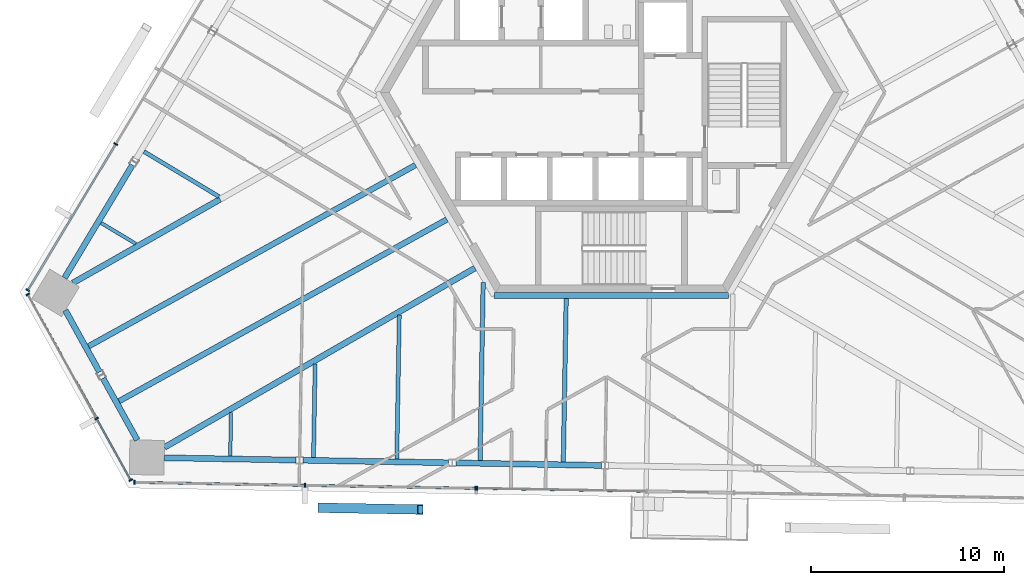
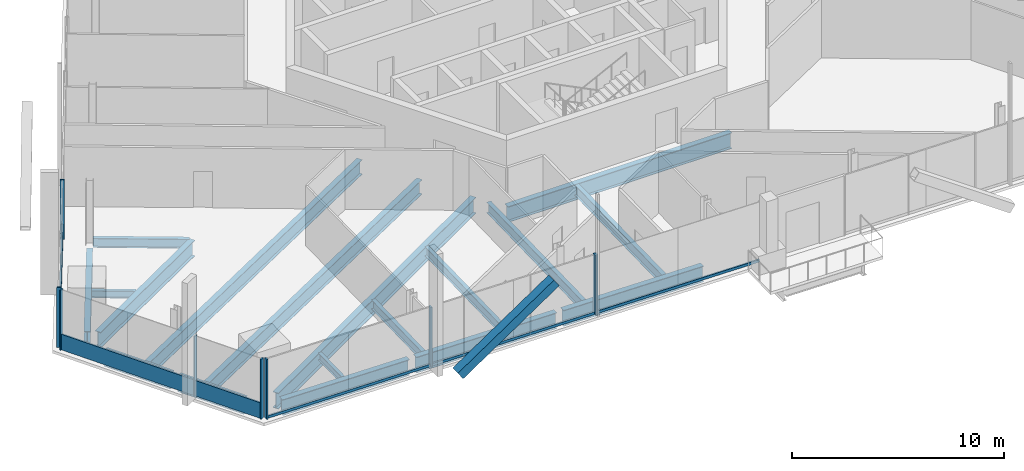
# One storey, part 4 of 21: 18 beams, 16 members, 4 elements without a shape of their own.
"""IFC4 building model written with IfcOpenShell, lengths in metres."""

from ifc_helpers import new_model, si_unit, direction, frame, origin, origin_2d, place, context, subcontext, project, spatial, rectangle, hollow_rectangle, i_section, extrude, source, transform, mapped, material, material_profile, profile_set, type_object, element, aggregate, save


model = new_model("IFC4")

# Units and contexts
model_context = context("Model", 3, precision=1e-05, world=origin(), true_north=direction((0.0, 1.0)))
body_context = subcontext(model_context, "Body", "Model", "MODEL_VIEW")
ifc_project = project(units=[si_unit("LENGTHUNIT", "METRE"), si_unit("AREAUNIT", "SQUARE_METRE"), si_unit("VOLUMEUNIT", "CUBIC_METRE"), si_unit("PLANEANGLEUNIT", "RADIAN"), si_unit("MASSUNIT", "GRAM", prefix="KILO")], contexts=[model_context])

# Site, building, storey
site_placement = place(None, origin())
site = spatial("IfcSite", under=ifc_project, at=site_placement, CompositionType="ELEMENT")
building_placement = place(site_placement, origin())
building = spatial("IfcBuilding", under=site, at=building_placement, Name="Triune Harvest Tower", CompositionType="ELEMENT")
storey_placement = place(building_placement, frame((0.0, 0.0, 187.10009765625)))
storey = spatial("IfcBuildingStorey", under=building, at=storey_placement, Name="L48", CompositionType="ELEMENT", Elevation=187.10009765625)

# Curtain wall, member
ifc_material_1 = material(Name="Aluminium bronze anodised", Category="aluminium")
curtain_wall_type_1 = type_object("IfcCurtainWallType", Name="CW-10 Balcony window wall with insulated spandrel infill", PredefinedType="NOTDEFINED", material=ifc_material_1)
curtain_wall_1_placement = place(storey_placement, origin())
curtain_wall_1 = element("IfcCurtainWall", 1, at=curtain_wall_1_placement, inside=storey, type_object=curtain_wall_type_1, Name="CW-10 B5-F5 L48 run 1")
ifc_material_2 = material(Name="Aluminium bronze anodised", Category="aluminium")
ifc_material_profile_1 = material_profile(ifc_material_2, rectangle(XDim=0.090087890625, YDim=0.14990234375, at=origin_2d()), Name="TR-6 transom 90 x 150")
ifc_profile_set_1 = profile_set([ifc_material_profile_1], Name="Aluminium bronze anodised")
member_type_1 = type_object("IfcMemberType", Name="TR-6 transom 90 x 150", PredefinedType="USERDEFINED", material=ifc_profile_set_1)
member_1_placement = place(storey_placement, frame((-24.7255859375, -20.248779296875, 0.074951171875), z_axis=(0.999847959279, -0.017437268315, 0.0), x_axis=(0.017437268315, 0.999847959279, 0.0)))
member_1 = element("IfcMember", 2, at=member_1_placement, type_object=member_type_1, Name="CW-10 transom B5-F5 1.1", ObjectType="TRANSOM", PredefinedType="USERDEFINED", context=body_context, shape_type="SweptSolid", body=[
    extrude(rectangle(XDim=0.090087890625, YDim=0.14990234375, at=origin_2d()), origin(), (0.0, 0.0, 1.0), 8.778564453125),
])

ifc_material_3 = material(Name="Aluminium bronze anodised", Category="aluminium")
curtain_wall_type_2 = type_object("IfcCurtainWallType", Name="CW-6 Balcony window wall", PredefinedType="NOTDEFINED", material=ifc_material_3)
curtain_wall_2_placement = place(storey_placement, origin())
curtain_wall_2 = element("IfcCurtainWall", 3, at=curtain_wall_2_placement, inside=storey, type_object=curtain_wall_type_2, Name="CW-6 B5-F5 L48 run 1001")
member_2_placement = place(storey_placement, frame((-6.94580078125, -20.55908203125, 0.074951171875), z_axis=(0.999847633679, -0.017455928128, 0.0), x_axis=(0.017455928128, 0.999847633679, 0.0)))
member_2 = element("IfcMember", 4, at=member_2_placement, type_object=member_type_1, Name="CW-6 transom B5-F5 1001.1", ObjectType="TRANSOM", PredefinedType="USERDEFINED", context=body_context, shape_type="SweptSolid", body=[
    extrude(rectangle(XDim=0.090087890625, YDim=0.14990234375, at=origin_2d()), origin(), (0.0, 0.0, 1.0), 8.7412109375),
])

# Beams
ifc_material_4 = material(Name="Steel ASTM A992 Gr 50", Category="steel")
ifc_material_profile_2 = material_profile(ifc_material_4, i_section(OverallWidth=0.3046875, OverallDepth=0.914306640625, WebThickness=0.0166015625, FlangeThickness=0.02587890625, at=origin_2d()), Name="W36x160")
ifc_profile_set_2 = profile_set([ifc_material_profile_2], Name="Steel ASTM A992 Gr 50")
beam_type_1 = type_object("IfcBeamType", Name="CG-1 Core ring girder W36x160", PredefinedType="BEAM", material=ifc_profile_set_2)
shared_shape_1 = source(origin(), body_context, "Body", "SweptSolid", [
    extrude(i_section(OverallWidth=0.3046875, OverallDepth=0.914306640625, WebThickness=0.0166015625, FlangeThickness=0.02587890625, at=origin_2d()), origin(), (0.0, 0.0, 1.0), 12.17578125),
])
beam_1_placement = place(storey_placement, frame((-6.087890625, -10.544677734375, -0.6171875), z_axis=(1.0, 0.0, 0.0), x_axis=(0.0, 1.0, 0.0)))
element("IfcBeam", 5, at=beam_1_placement, inside=storey, type_object=beam_type_1, Name="beam/L48/CG5", PredefinedType="BEAM", context=body_context, shape_type="MappedRepresentation", body=[
    mapped(shared_shape_1, transform((0.0, 0.0, 0.0), scale=1.0)),
])
ifc_material_5 = material(Name="Steel ASTM A992 Gr 50", Category="steel")
ifc_material_profile_3 = material_profile(ifc_material_5, i_section(OverallWidth=0.3046875, OverallDepth=0.914306640625, WebThickness=0.0166015625, FlangeThickness=0.02587890625, at=origin_2d()), Name="W36x160")
ifc_profile_set_3 = profile_set([ifc_material_profile_3], Name="Steel ASTM A992 Gr 50")
beam_type_2 = type_object("IfcBeamType", Name="SB-1 Spandrel beam W36x160", PredefinedType="SPANDREL", material=ifc_profile_set_3)
shared_shape_2 = source(origin(), body_context, "Body", "SweptSolid", [
    extrude(i_section(OverallWidth=0.3046875, OverallDepth=0.914306640625, WebThickness=0.0166015625, FlangeThickness=0.02587890625, at=origin_2d()), origin(), (0.0, 0.0, 1.0), 6.841796875),
])
for number, where, z_axis, x_axis, name in (
    (6, (-24.86865234375, -3.77001953125, -0.6171875), (-0.515057137128, -0.857155846678, 0.0), (0.857155846678, -0.515057137128, 0.0), "beam/L48/SB14"),
    (7, (-23.21630859375, -18.97265625, -0.6171875), (0.999847751763, -0.01744916312, 0.0), (0.01744916312, 0.999847751763, 0.0), "beam/L48/SB17"),
):
    element("IfcBeam", number, at=place(storey_placement, frame(where, z_axis=z_axis, x_axis=x_axis)), inside=storey, type_object=beam_type_2, Name=name, PredefinedType="SPANDREL", context=body_context, shape_type="MappedRepresentation", body=[
        mapped(shared_shape_2, transform((0.0, 0.0, 0.0), scale=1.0)),
    ])
shared_shape_3 = source(origin(), body_context, "Body", "SweptSolid", [
    extrude(i_section(OverallWidth=0.3046875, OverallDepth=0.914306640625, WebThickness=0.0166015625, FlangeThickness=0.02587890625, at=origin_2d()), origin(), (0.0, 0.0, 1.0), 7.556396484375),
])
for number, where, z_axis, x_axis, name in (
    (8, (-16.0048828125, -19.098388671875, -0.6171875), (0.99984722371, -0.017479394688, 0.0), (0.017479394688, 0.99984722371, 0.0), "beam/L48/SB18"),
    (9, (-8.078857421875, -19.23681640625, -0.6171875), (0.99984722371, -0.017479394688, 0.0), (0.017479394688, 0.99984722371, 0.0), "beam/L48/SB19"),
):
    element("IfcBeam", number, at=place(storey_placement, frame(where, z_axis=z_axis, x_axis=x_axis)), inside=storey, type_object=beam_type_2, Name=name, PredefinedType="SPANDREL", context=body_context, shape_type="MappedRepresentation", body=[
        mapped(shared_shape_3, transform((0.0, 0.0, 0.0), scale=1.0)),
    ])
shared_shape_4 = source(origin(), body_context, "Body", "SweptSolid", [
    extrude(i_section(OverallWidth=0.3046875, OverallDepth=0.914306640625, WebThickness=0.0166015625, FlangeThickness=0.02587890625, at=origin_2d()), origin(), (0.0, 0.0, 1.0), 3.66357421875),
])
beam_2_placement = place(storey_placement, frame((-26.396240234375, -14.84375, -0.6171875), z_axis=(0.484794006312, -0.874628361903, 0.0), x_axis=(0.874628361903, 0.484794006312, 0.0)))
element("IfcBeam", 10, at=beam_2_placement, inside=storey, type_object=beam_type_2, Name="beam/L48/SB16", PredefinedType="SPANDREL", context=body_context, shape_type="MappedRepresentation", body=[
    mapped(shared_shape_4, transform((0.0, 0.0, 0.0), scale=1.0)),
])
shared_shape_5 = source(origin(), body_context, "Body", "SweptSolid", [
    extrude(i_section(OverallWidth=0.3046875, OverallDepth=0.914306640625, WebThickness=0.0166015625, FlangeThickness=0.02587890625, at=origin_2d()), origin(), (0.0, 0.0, 1.0), 3.663818359375),
])
beam_3_placement = place(storey_placement, frame((-28.352294921875, -11.31494140625, -0.6171875), z_axis=(0.484844980499, -0.874600105697, 0.0), x_axis=(0.874600105697, 0.484844980499, 0.0)))
element("IfcBeam", 11, at=beam_3_placement, inside=storey, type_object=beam_type_2, Name="beam/L48/SB15", PredefinedType="SPANDREL", context=body_context, shape_type="MappedRepresentation", body=[
    mapped(shared_shape_5, transform((0.0, 0.0, 0.0), scale=1.0)),
])
ifc_material_6 = material(Name="Steel ASTM A992 Gr 50", Category="steel")
ifc_material_profile_4 = material_profile(ifc_material_6, i_section(OverallWidth=0.307373046875, OverallDepth=0.922119140625, WebThickness=0.018310546875, FlangeThickness=0.030029296875, at=origin_2d()), Name="W36x182")
ifc_profile_set_4 = profile_set([ifc_material_profile_4], Name="Steel ASTM A992 Gr 50")
beam_type_3 = type_object("IfcBeamType", Name="HG-2 Hip girder W36x182", PredefinedType="BEAM", material=ifc_profile_set_4)
shared_shape_6 = source(origin(), body_context, "Body", "SweptSolid", [
    extrude(i_section(OverallWidth=0.307373046875, OverallDepth=0.922119140625, WebThickness=0.018310546875, FlangeThickness=0.030029296875, at=origin_2d()), origin(), (0.0, 0.0, 1.0), 8.79150390625),
])
beam_4_placement = place(storey_placement, frame((-27.958251953125, -9.8955078125, -0.62109375), z_axis=(0.869275144509, 0.494328557883, 0.0), x_axis=(-0.494328557883, 0.869275144509, 0.0)))
element("IfcBeam", 12, at=beam_4_placement, inside=storey, type_object=beam_type_3, Name="beam/L48/HG5", PredefinedType="BEAM", context=body_context, shape_type="MappedRepresentation", body=[
    mapped(shared_shape_6, transform((0.0, 0.0, 0.0), scale=1.0)),
])
shared_shape_7 = source(origin(), body_context, "Body", "SweptSolid", [
    extrude(i_section(OverallWidth=0.307373046875, OverallDepth=0.922119140625, WebThickness=0.018310546875, FlangeThickness=0.030029296875, at=origin_2d()), origin(), (0.0, 0.0, 1.0), 18.616455078125),
])
beam_5_placement = place(storey_placement, frame((-23.206787109375, -18.431884765625, -0.62109375), z_axis=(0.866022449336, 0.50000511722, 0.0), x_axis=(-0.50000511722, 0.866022449336, 0.0)))
element("IfcBeam", 13, at=beam_5_placement, inside=storey, type_object=beam_type_3, Name="beam/L48/HG7", PredefinedType="BEAM", context=body_context, shape_type="MappedRepresentation", body=[
    mapped(shared_shape_7, transform((0.0, 0.0, 0.0), scale=1.0)),
])
ifc_material_7 = material(Name="Steel ASTM A992 Gr 50", Category="steel")
ifc_material_profile_5 = material_profile(ifc_material_7, i_section(OverallWidth=0.22900390625, OverallDepth=0.612060546875, WebThickness=0.011962890625, FlangeThickness=0.01953125, at=origin_2d()), Name="W24x84")
ifc_profile_set_5 = profile_set([ifc_material_profile_5], Name="Steel ASTM A992 Gr 50")
beam_type_4 = type_object("IfcBeamType", Name="JT-3 Floor joist W24x84", PredefinedType="JOIST", material=ifc_profile_set_5)
shared_shape_8 = source(origin(), body_context, "Body", "SweptSolid", [
    extrude(i_section(OverallWidth=0.22900390625, OverallDepth=0.612060546875, WebThickness=0.011962890625, FlangeThickness=0.01953125, at=origin_2d()), origin(), (0.0, 0.0, 1.0), 9.247314453125),
])
beam_6_placement = place(storey_placement, frame((-6.8203125, -19.1064453125, -0.46630859375), z_axis=(0.017451330541, 0.999847713936, 0.0), x_axis=(-0.999847713936, 0.017451330541, 0.0)))
element("IfcBeam", 14, at=beam_6_placement, inside=storey, type_object=beam_type_4, Name="beam/L48/JT28", PredefinedType="JOIST", context=body_context, shape_type="MappedRepresentation", body=[
    mapped(shared_shape_8, transform((0.0, 0.0, 0.0), scale=1.0)),
])
shared_shape_9 = source(origin(), body_context, "Body", "SweptSolid", [
    extrude(i_section(OverallWidth=0.22900390625, OverallDepth=0.612060546875, WebThickness=0.011962890625, FlangeThickness=0.01953125, at=origin_2d()), origin(), (0.0, 0.0, 1.0), 8.486083984375),
])
beam_7_placement = place(storey_placement, frame((-2.4970703125, -19.181884765625, -0.46630859375), z_axis=(0.017434191628, 0.999848012931, 0.0), x_axis=(-0.999848012931, 0.017434191628, 0.0)))
element("IfcBeam", 15, at=beam_7_placement, inside=storey, type_object=beam_type_4, Name="beam/L48/JT29", PredefinedType="JOIST", context=body_context, shape_type="MappedRepresentation", body=[
    mapped(shared_shape_9, transform((0.0, 0.0, 0.0), scale=1.0)),
])
ifc_material_8 = material(Name="Steel ASTM A992 Gr 50", Category="steel")
ifc_material_profile_6 = material_profile(ifc_material_8, i_section(OverallWidth=0.2099609375, OverallDepth=0.535888671875, WebThickness=0.010986328125, FlangeThickness=0.017333984375, at=origin_2d()), Name="W21x68")
ifc_profile_set_6 = profile_set([ifc_material_profile_6], Name="Steel ASTM A992 Gr 50")
beam_type_5 = type_object("IfcBeamType", Name="JT-2 Floor joist W21x68", PredefinedType="JOIST", material=ifc_profile_set_6)
shared_shape_10 = source(origin(), body_context, "Body", "SweptSolid", [
    extrude(i_section(OverallWidth=0.2099609375, OverallDepth=0.535888671875, WebThickness=0.010986328125, FlangeThickness=0.017333984375, at=origin_2d()), origin(), (0.0, 0.0, 1.0), 4.538818359375),
])
beam_8_placement = place(storey_placement, frame((-24.271484375, -3.072021484375, -0.427978515625), z_axis=(0.85717477652, -0.515025632855, 0.0), x_axis=(0.515025632855, 0.85717477652, 0.0)))
element("IfcBeam", 16, at=beam_8_placement, inside=storey, type_object=beam_type_5, Name="beam/L48/JT21", PredefinedType="JOIST", context=body_context, shape_type="MappedRepresentation", body=[
    mapped(shared_shape_10, transform((0.0, 0.0, 0.0), scale=1.0)),
])
ifc_material_9 = material(Name="Steel ASTM A992 Gr 50", Category="steel")
ifc_material_profile_7 = material_profile(ifc_material_9, i_section(OverallWidth=0.2919921875, OverallDepth=0.8408203125, WebThickness=0.0146484375, FlangeThickness=0.021728515625, at=origin_2d()), Name="W33x130")
ifc_profile_set_7 = profile_set([ifc_material_profile_7], Name="Steel ASTM A992 Gr 50")
beam_type_6 = type_object("IfcBeamType", Name="JT-6 Floor joist W33x130", PredefinedType="JOIST", material=ifc_profile_set_7)
shared_shape_11 = source(origin(), body_context, "Body", "SweptSolid", [
    extrude(i_section(OverallWidth=0.2919921875, OverallDepth=0.8408203125, WebThickness=0.0146484375, FlangeThickness=0.021728515625, at=origin_2d()), origin(), (0.0, 0.0, 1.0), 19.403564453125),
])
beam_9_placement = place(storey_placement, frame((-27.142822265625, -13.1826171875, -0.58056640625), z_axis=(0.874615069694, 0.484817986325, 0.0), x_axis=(-0.484817986325, 0.874615069694, 0.0)))
element("IfcBeam", 17, at=beam_9_placement, inside=storey, type_object=beam_type_6, Name="beam/L48/JT23", PredefinedType="JOIST", context=body_context, shape_type="MappedRepresentation", body=[
    mapped(shared_shape_11, transform((0.0, 0.0, 0.0), scale=1.0)),
])
shared_shape_12 = source(origin(), body_context, "Body", "SweptSolid", [
    extrude(i_section(OverallWidth=0.2919921875, OverallDepth=0.8408203125, WebThickness=0.0146484375, FlangeThickness=0.021728515625, at=origin_2d()), origin(), (0.0, 0.0, 1.0), 19.460205078125),
])
beam_10_placement = place(storey_placement, frame((-25.562744140625, -16.03271484375, -0.58056640625), z_axis=(0.874617874633, 0.484812926161, 0.0), x_axis=(-0.484812926161, 0.874617874633, 0.0)))
element("IfcBeam", 18, at=beam_10_placement, inside=storey, type_object=beam_type_6, Name="beam/L48/JT24", PredefinedType="JOIST", context=body_context, shape_type="MappedRepresentation", body=[
    mapped(shared_shape_12, transform((0.0, 0.0, 0.0), scale=1.0)),
])
shared_shape_13 = source(origin(), body_context, "Body", "SweptSolid", [
    extrude(i_section(OverallWidth=0.2099609375, OverallDepth=0.535888671875, WebThickness=0.010986328125, FlangeThickness=0.017333984375, at=origin_2d()), origin(), (0.0, 0.0, 1.0), 4.864501953125),
])
beam_11_placement = place(storey_placement, frame((-15.467041015625, -18.95556640625, -0.427978515625), z_axis=(0.017465461228, 0.999847467199, 0.0), x_axis=(-0.999847467199, 0.017465461228, 0.0)))
element("IfcBeam", 19, at=beam_11_placement, inside=storey, type_object=beam_type_5, Name="beam/L48/JT26", PredefinedType="JOIST", context=body_context, shape_type="MappedRepresentation", body=[
    mapped(shared_shape_13, transform((0.0, 0.0, 0.0), scale=1.0)),
])
ifc_material_10 = material(Name="Steel ASTM A992 Gr 50", Category="steel")
ifc_material_profile_8 = material_profile(ifc_material_10, i_section(OverallWidth=0.180908203125, OverallDepth=0.41650390625, WebThickness=0.010986328125, FlangeThickness=0.01806640625, at=origin_2d()), Name="W16x57")
ifc_profile_set_8 = profile_set([ifc_material_profile_8], Name="Steel ASTM A992 Gr 50")
beam_type_7 = type_object("IfcBeamType", Name="JT-1 Floor joist W16x57", PredefinedType="JOIST", material=ifc_profile_set_8)
shared_shape_14 = source(origin(), body_context, "Body", "SweptSolid", [
    extrude(i_section(OverallWidth=0.180908203125, OverallDepth=0.41650390625, WebThickness=0.010986328125, FlangeThickness=0.01806640625, at=origin_2d()), origin(), (0.0, 0.0, 1.0), 2.104736328125),
])
beam_12_placement = place(storey_placement, frame((-26.498291015625, -6.7783203125, -0.368408203125), z_axis=(0.857185733632, -0.51500739612, 0.0), x_axis=(0.51500739612, 0.857185733632, 0.0)))
element("IfcBeam", 20, at=beam_12_placement, inside=storey, type_object=beam_type_7, Name="beam/L48/JT22", PredefinedType="JOIST", context=body_context, shape_type="MappedRepresentation", body=[
    mapped(shared_shape_14, transform((0.0, 0.0, 0.0), scale=1.0)),
])
shared_shape_15 = source(origin(), body_context, "Body", "SweptSolid", [
    extrude(i_section(OverallWidth=0.180908203125, OverallDepth=0.41650390625, WebThickness=0.010986328125, FlangeThickness=0.01806640625, at=origin_2d()), origin(), (0.0, 0.0, 1.0), 2.26611328125),
])
beam_13_placement = place(storey_placement, frame((-19.790283203125, -18.8798828125, -0.368408203125), z_axis=(0.017452357155, 0.999847696017, 0.0), x_axis=(-0.999847696017, 0.017452357155, 0.0)))
element("IfcBeam", 21, at=beam_13_placement, inside=storey, type_object=beam_type_7, Name="beam/L48/JT25", PredefinedType="JOIST", context=body_context, shape_type="MappedRepresentation", body=[
    mapped(shared_shape_15, transform((0.0, 0.0, 0.0), scale=1.0)),
])
shared_shape_16 = source(origin(), body_context, "Body", "SweptSolid", [
    extrude(i_section(OverallWidth=0.2099609375, OverallDepth=0.535888671875, WebThickness=0.010986328125, FlangeThickness=0.017333984375, at=origin_2d()), origin(), (0.0, 0.0, 1.0), 7.462890625),
])
beam_14_placement = place(storey_placement, frame((-11.143798828125, -19.031005859375, -0.427978515625), z_axis=(0.017469440512, 0.99984739768, 0.0), x_axis=(-0.99984739768, 0.017469440512, 0.0)))
element("IfcBeam", 22, at=beam_14_placement, inside=storey, type_object=beam_type_5, Name="beam/L48/JT27", PredefinedType="JOIST", context=body_context, shape_type="MappedRepresentation", body=[
    mapped(shared_shape_16, transform((0.0, 0.0, 0.0), scale=1.0)),
])

# Member
ifc_material_11 = material(Name="Steel ASTM A572 Gr 50", Category="steel")
ifc_material_profile_9 = material_profile(ifc_material_11, hollow_rectangle(XDim=0.5, YDim=0.5, WallThickness=0.030029296875, at=origin_2d()), Name="Box 500x500x30")
ifc_profile_set_9 = profile_set([ifc_material_profile_9], Name="Steel ASTM A572 Gr 50")
member_type_2 = type_object("IfcMemberType", Name="BR-3 Brace Box 500x500x30", PredefinedType="BRACE", material=ifc_profile_set_9)
shared_shape_17 = source(origin(), body_context, "Body", "SweptSolid", [
    extrude(hollow_rectangle(XDim=0.5, YDim=0.5, WallThickness=0.030029296875, at=origin_2d()), origin(), (0.0, 0.0, 1.0), 6.302978515625),
])
member_3_placement = place(storey_placement, frame((-15.09228515625, -21.56689453125, 0.0), z_axis=(0.820733251082, -0.014331554245, 0.571131803634), x_axis=(0.017459228993, 0.999847576045, 0.0)))
element("IfcMember", 23, at=member_3_placement, inside=storey, type_object=member_type_2, Name="brace/B5-F5/d1/3", PredefinedType="BRACE", context=body_context, shape_type="MappedRepresentation", body=[
    mapped(shared_shape_17, transform((0.0, 0.0, 0.0), scale=1.0)),
])

# Curtain wall, members
ifc_material_12 = material(Name="Aluminium bronze anodised", Category="aluminium")
curtain_wall_type_3 = type_object("IfcCurtainWallType", Name="CW-7 Tower stick curtain wall with insulated spandrel infill", PredefinedType="NOTDEFINED", material=ifc_material_12)
curtain_wall_3_placement = place(storey_placement, origin())
curtain_wall_3 = element("IfcCurtainWall", 24, at=curtain_wall_3_placement, inside=storey, type_object=curtain_wall_type_3, Name="CW-7 B5-F3 L48 run 2001")
ifc_material_13 = material(Name="Aluminium bronze anodised", Category="aluminium")
ifc_material_profile_10 = material_profile(ifc_material_13, rectangle(XDim=0.199951171875, YDim=0.074951171875, at=origin_2d()), Name="MU-1 mullion 75 x 200")
ifc_profile_set_10 = profile_set([ifc_material_profile_10], Name="Aluminium bronze anodised")
member_type_3 = type_object("IfcMemberType", Name="MU-1 mullion 75 x 200", PredefinedType="MULLION", material=ifc_profile_set_10)
shared_shape_18 = source(origin(), body_context, "Body", "SweptSolid", [
    extrude(rectangle(XDim=0.199951171875, YDim=0.074951171875, at=origin_2d()), origin(), (0.0, 0.0, 1.0), 3.43994140625),
])
member_4_placement = place(storey_placement, frame((-25.735107421875, -2.683837890625, 0.0), z_axis=(0.0, 0.0, 1.0), x_axis=(0.857166809078, -0.515038893109, 0.0)))
member_4 = element("IfcMember", 25, at=member_4_placement, type_object=member_type_3, Name="CW-7 mullion B5-F3 2001.3", PredefinedType="MULLION", context=body_context, shape_type="MappedRepresentation", body=[
    mapped(shared_shape_18, transform((0.0, 0.0, 0.0), scale=1.0)),
])
member_5_placement = place(storey_placement, frame((-30.293701171875, -10.2705078125, 0.0), z_axis=(0.0, 0.0, 1.0), x_axis=(0.857166809078, -0.515038893109, 0.0)))
member_5 = element("IfcMember", 26, at=member_5_placement, type_object=member_type_3, Name="CW-7 mullion B5-F3 2001.5", PredefinedType="MULLION", context=body_context, shape_type="MappedRepresentation", body=[
    mapped(shared_shape_18, transform((0.0, 0.0, 0.0), scale=1.0)),
])

ifc_material_14 = material(Name="Aluminium bronze anodised", Category="aluminium")
curtain_wall_type_4 = type_object("IfcCurtainWallType", Name="CW-1 Tower stick curtain wall", PredefinedType="NOTDEFINED", material=ifc_material_14)
curtain_wall_4_placement = place(storey_placement, origin())
curtain_wall_4 = element("IfcCurtainWall", 27, at=curtain_wall_4_placement, inside=storey, type_object=curtain_wall_type_4, Name="CW-1 B5-F4 L48 run 1")
member_6_placement = place(storey_placement, frame((-30.297607421875, -10.4912109375, 0.0), z_axis=(0.0, 0.0, 1.0), x_axis=(0.874623958582, 0.484801950362, 0.0)))
member_6 = element("IfcMember", 28, at=member_6_placement, type_object=member_type_3, Name="CW-1 mullion B5-F4 1.1", PredefinedType="MULLION", context=body_context, shape_type="MappedRepresentation", body=[
    mapped(shared_shape_18, transform((0.0, 0.0, 0.0), scale=1.0)),
])
member_7_placement = place(storey_placement, frame((-26.72802734375, -16.930908203125, 0.0), z_axis=(0.0, 0.0, 1.0), x_axis=(0.874623958582, 0.484801950362, 0.0)))
member_7 = element("IfcMember", 29, at=member_7_placement, type_object=member_type_3, Name="CW-1 mullion B5-F4 1.3", PredefinedType="MULLION", context=body_context, shape_type="MappedRepresentation", body=[
    mapped(shared_shape_18, transform((0.0, 0.0, 0.0), scale=1.0)),
])
member_8_placement = place(storey_placement, frame((-24.952392578125, -20.13427734375, 0.0), z_axis=(0.0, 0.0, 1.0), x_axis=(0.874623958582, 0.484801950362, 0.0)))
member_8 = element("IfcMember", 30, at=member_8_placement, type_object=member_type_3, Name="CW-1 mullion B5-F4 1.4", PredefinedType="MULLION", context=body_context, shape_type="MappedRepresentation", body=[
    mapped(shared_shape_18, transform((0.0, 0.0, 0.0), scale=1.0)),
])

# Member
ifc_material_15 = material(Name="Aluminium bronze anodised", Category="aluminium")
ifc_material_profile_11 = material_profile(ifc_material_15, rectangle(XDim=0.199951171875, YDim=0.074951171875, at=origin_2d()), Name="MU-6 mullion 75 x 200")
ifc_profile_set_11 = profile_set([ifc_material_profile_11], Name="Aluminium bronze anodised")
member_type_4 = type_object("IfcMemberType", Name="MU-6 mullion 75 x 200", PredefinedType="MULLION", material=ifc_profile_set_11)
shared_shape_19 = source(origin(), body_context, "Body", "SweptSolid", [
    extrude(rectangle(XDim=0.199951171875, YDim=0.074951171875, at=origin_2d()), origin(), (0.0, 0.0, 1.0), 3.43994140625),
])
member_9_placement = place(storey_placement, frame((-24.76318359375, -20.248046875, 0.0), z_axis=(0.0, 0.0, 1.0), x_axis=(0.017451369119, 0.999847713262, 0.0)))
member_9 = element("IfcMember", 31, at=member_9_placement, type_object=member_type_4, Name="CW-10 mullion B5-F5 1.1", PredefinedType="MULLION", context=body_context, shape_type="MappedRepresentation", body=[
    mapped(shared_shape_19, transform((0.0, 0.0, 0.0), scale=1.0)),
])

member_10_placement = place(storey_placement, frame((-15.91064453125, -20.402587890625, 0.0), z_axis=(0.0, 0.0, 1.0), x_axis=(0.017451369119, 0.999847713262, 0.0)))
member_10 = element("IfcMember", 32, at=member_10_placement, type_object=member_type_4, Name="CW-10 mullion B5-F5 1.3", PredefinedType="MULLION", context=body_context, shape_type="MappedRepresentation", body=[
    mapped(shared_shape_19, transform((0.0, 0.0, 0.0), scale=1.0)),
])

member_11_placement = place(storey_placement, frame((-7.058349609375, -20.55712890625, 0.0), z_axis=(0.0, 0.0, 1.0), x_axis=(0.017451369119, 0.999847713262, 0.0)))
member_11 = element("IfcMember", 33, at=member_11_placement, type_object=member_type_4, Name="CW-10 mullion B5-F5 1.5", PredefinedType="MULLION", context=body_context, shape_type="MappedRepresentation", body=[
    mapped(shared_shape_19, transform((0.0, 0.0, 0.0), scale=1.0)),
])

member_12_placement = place(storey_placement, frame((-6.9833984375, -20.558349609375, 0.0), z_axis=(0.0, 0.0, 1.0), x_axis=(0.017452234357, 0.99984769816, 0.0)))
member_12 = element("IfcMember", 34, at=member_12_placement, type_object=member_type_4, Name="CW-6 mullion B5-F5 1001.1", PredefinedType="MULLION", context=body_context, shape_type="MappedRepresentation", body=[
    mapped(shared_shape_19, transform((0.0, 0.0, 0.0), scale=1.0)),
])

aggregate(curtain_wall_2, [member_12, member_2])

ifc_material_16 = material(Name="Aluminium bronze anodised", Category="aluminium")
ifc_material_profile_12 = material_profile(ifc_material_16, rectangle(XDim=0.090087890625, YDim=0.89990234375, at=origin_2d()), Name="TR-1 transom 90 x 900")
ifc_profile_set_12 = profile_set([ifc_material_profile_12], Name="Aluminium bronze anodised")
member_type_5 = type_object("IfcMemberType", Name="TR-1 transom 90 x 900", PredefinedType="USERDEFINED", material=ifc_profile_set_12)
shared_shape_20 = source(origin(), body_context, "Body", "SweptSolid", [
    extrude(rectangle(XDim=0.090087890625, YDim=0.89990234375, at=origin_2d()), origin(), (0.0, 0.0, 1.0), 7.28759765625),
])
member_13_placement = place(storey_placement, frame((-30.279296875, -10.524169921875, 0.449951171875), z_axis=(0.484786537831, -0.874632501533, 0.0), x_axis=(0.874632501533, 0.484786537831, 0.0)))
member_13 = element("IfcMember", 35, at=member_13_placement, type_object=member_type_5, Name="CW-1 transom B5-F4 1.1", ObjectType="TRANSOM", PredefinedType="USERDEFINED", context=body_context, shape_type="MappedRepresentation", body=[
    mapped(shared_shape_20, transform((0.0, 0.0, 0.0), scale=1.0)),
])

shared_shape_21 = source(origin(), body_context, "Body", "SweptSolid", [
    extrude(rectangle(XDim=0.090087890625, YDim=0.89990234375, at=origin_2d()), origin(), (0.0, 0.0, 1.0), 3.587646484375),
])
member_14_placement = place(storey_placement, frame((-26.7099609375, -16.963623046875, 0.449951171875), z_axis=(0.484781810323, -0.874635121854, 0.0), x_axis=(0.874635121854, 0.484781810323, 0.0)))
member_14 = element("IfcMember", 36, at=member_14_placement, type_object=member_type_5, Name="CW-1 transom B5-F4 1.2", ObjectType="TRANSOM", PredefinedType="USERDEFINED", context=body_context, shape_type="MappedRepresentation", body=[
    mapped(shared_shape_21, transform((0.0, 0.0, 0.0), scale=1.0)),
])

aggregate(curtain_wall_4, [member_6, member_7, member_8, member_13, member_14])

shared_shape_22 = source(origin(), body_context, "Body", "SweptSolid", [
    extrude(rectangle(XDim=0.090087890625, YDim=0.89990234375, at=origin_2d()), origin(), (0.0, 0.0, 1.0), 8.77587890625),
])
member_15_placement = place(storey_placement, frame((-25.75439453125, -2.7158203125, 0.449951171875), z_axis=(-0.515043851299, -0.857163829871, 0.0), x_axis=(0.857163829871, -0.515043851299, 0.0)))
member_15 = element("IfcMember", 37, at=member_15_placement, type_object=member_type_5, Name="CW-7 transom B5-F3 2001.2", ObjectType="TRANSOM", PredefinedType="USERDEFINED", context=body_context, shape_type="MappedRepresentation", body=[
    mapped(shared_shape_22, transform((0.0, 0.0, 0.0), scale=1.0)),
])

aggregate(curtain_wall_3, [member_4, member_5, member_15])

shared_shape_23 = source(origin(), body_context, "Body", "SweptSolid", [
    extrude(rectangle(XDim=0.090087890625, YDim=0.14990234375, at=origin_2d()), origin(), (0.0, 0.0, 1.0), 8.77880859375),
])
member_16_placement = place(storey_placement, frame((-15.873291015625, -20.403076171875, 0.074951171875), z_axis=(0.999847482507, -0.017464584847, 0.0), x_axis=(0.017464584847, 0.999847482507, 0.0)))
member_16 = element("IfcMember", 38, at=member_16_placement, type_object=member_type_1, Name="CW-10 transom B5-F5 1.2", ObjectType="TRANSOM", PredefinedType="USERDEFINED", context=body_context, shape_type="MappedRepresentation", body=[
    mapped(shared_shape_23, transform((0.0, 0.0, 0.0), scale=1.0)),
])

aggregate(curtain_wall_1, [member_9, member_10, member_11, member_1, member_16])

save(model, "model.ifc")
